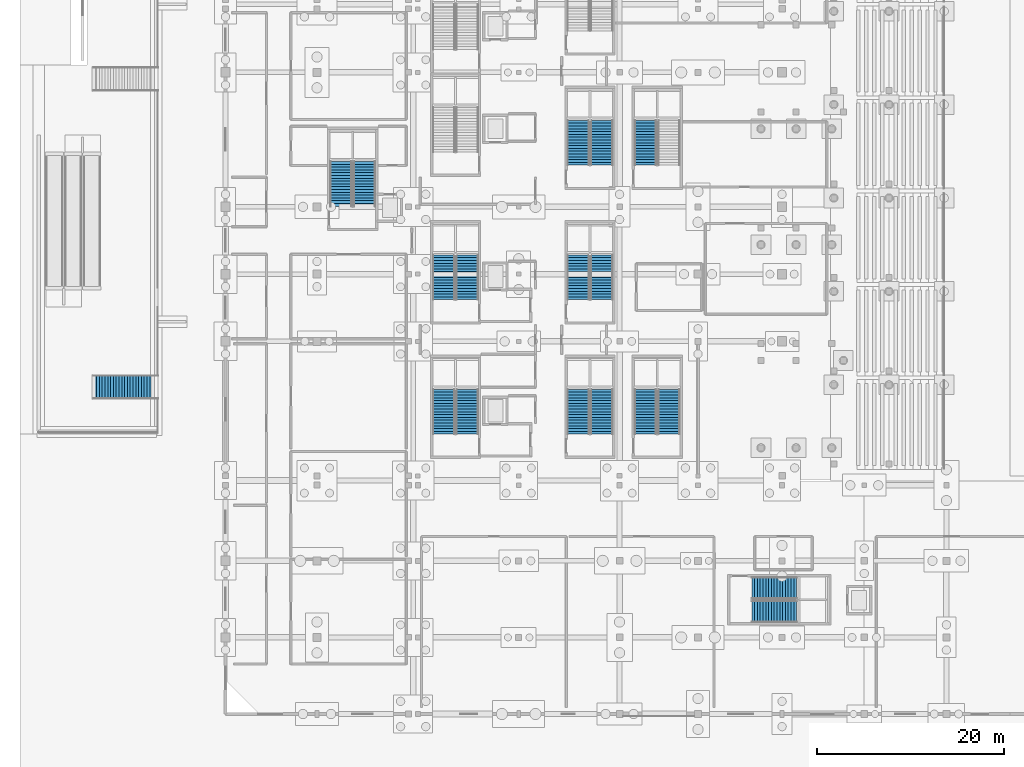
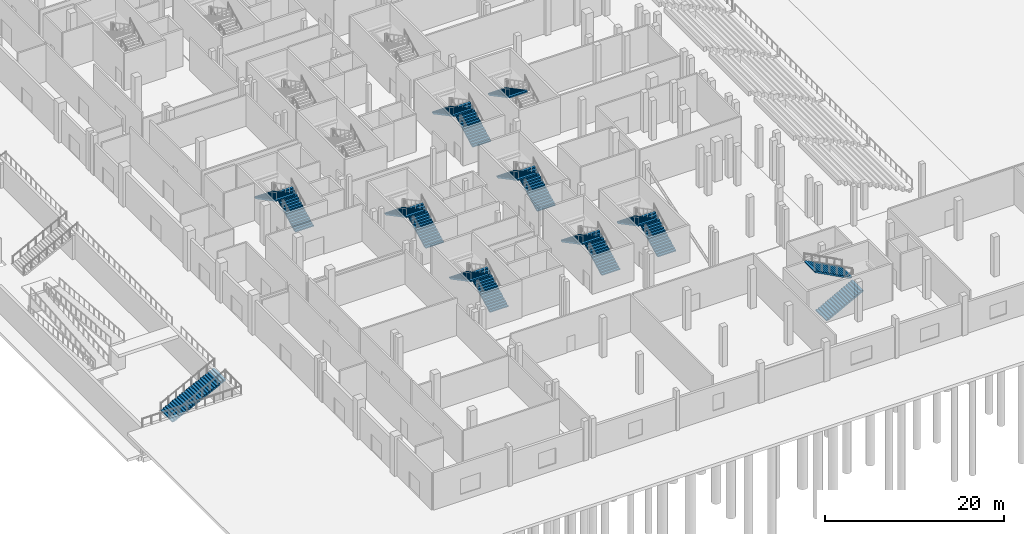
# One storey, part 51 of 89: 18 stair flights, 10 elements without a shape of their own.
"""IFC4 building model written with IfcOpenShell, lengths in metres."""

from ifc_helpers import new_model, si_unit, direction, frame, origin, place, context, subcontext, project, spatial, polyline, outline, extrude, material, type_object, element, aggregate, save


model = new_model("IFC4")

# Units and contexts
model_context = context("Model", 3, precision=1e-05, world=origin(), true_north=direction((0.0, 1.0)))
body_context = subcontext(model_context, "Body", "Model", "MODEL_VIEW")
ifc_project = project(units=[si_unit("LENGTHUNIT", "METRE"), si_unit("AREAUNIT", "SQUARE_METRE"), si_unit("VOLUMEUNIT", "CUBIC_METRE"), si_unit("PLANEANGLEUNIT", "RADIAN"), si_unit("MASSUNIT", "GRAM", prefix="KILO")], contexts=[model_context])

# Site, building, storey
site_placement = place(None, origin())
site = spatial("IfcSite", under=ifc_project, at=site_placement, CompositionType="ELEMENT")
building_placement = place(site_placement, origin())
building = spatial("IfcBuilding", under=site, at=building_placement, Name="Koshinbarg Plaza Stadium", CompositionType="ELEMENT")
storey_placement = place(building_placement, origin())
storey = spatial("IfcBuildingStorey", under=building, at=storey_placement, Name="L00", CompositionType="ELEMENT", Elevation=0.0)

# Stair, stair flights
ifc_material = material(Name="Concrete C35/45", Category="concrete")
stair_type_1 = type_object("IfcStairType", Name="ST-CORE-54", PredefinedType="HALF_TURN_STAIR", material=ifc_material)
stair_1_placement = place(storey_placement, origin())
stair_1 = element("IfcStair", 1, at=stair_1_placement, inside=storey, type_object=stair_type_1, Name="L00 Protected Exit Stair C01", PredefinedType="HALF_TURN_STAIR")
stair_flight_type_1 = type_object("IfcStairFlightType", Name="SFL-CORE-54", PredefinedType="STRAIGHT", material=ifc_material)
stair_flight_1_placement = place(storey_placement, frame((29.889892578125, 29.9599609375, 0.0), z_axis=(0.0, 0.0, 1.0), x_axis=(0.0, 1.0, 0.0)))
stair_flight_1 = element("IfcStairFlight", 2, at=stair_flight_1_placement, type_object=stair_flight_type_1, Name="L00 Protected Exit Stair C01 flight 001", NumberOfRisers=17, NumberOfTreads=16, PredefinedType="STRAIGHT", RiserHeight=0.158823529, TreadLength=0.3, context=body_context, shape_type="SweptSolid", body=[
    extrude(outline(polyline([(0.0, 0.0), (0.0, 0.158935546875), (0.300048828125, 0.158935546875), (0.300048828125, 0.317626953125), (0.60009765625, 0.317626953125), (0.60009765625, 0.4765625), (0.89990234375, 0.4765625), (0.89990234375, 0.63525390625), (1.199951171875, 0.63525390625), (1.199951171875, 0.794189453125), (1.5, 0.794189453125), (1.5, 0.952880859375), (1.800048828125, 0.952880859375), (1.800048828125, 1.11181640625), (2.10009765625, 1.11181640625), (2.10009765625, 1.2705078125), (2.39990234375, 1.2705078125), (2.39990234375, 1.429443359375), (2.699951171875, 1.429443359375), (2.699951171875, 1.588134765625), (3.0, 1.588134765625), (3.0, 1.7470703125), (3.300048828125, 1.7470703125), (3.300048828125, 1.90576171875), (3.60009765625, 1.90576171875), (3.60009765625, 2.064697265625), (3.89990234375, 2.064697265625), (3.89990234375, 2.2236328125), (4.199951171875, 2.2236328125), (4.199951171875, 2.38232421875), (4.5, 2.38232421875), (4.5, 2.541259765625), (4.800048828125, 2.541259765625), (4.800048828125, 2.699951171875), (4.800048828125, 2.37158203125), (0.3203125, 0.0), (0.0, 0.0)])), frame((0.0, 1.18017578125, 0.0), z_axis=(0.0, -1.0, 0.0), x_axis=(1.0, 0.0, 0.0)), (0.0, 0.0, 1.0), 2.360107421875),
])
stair_flight_2_placement = place(storey_placement, frame((27.3798828125, 34.760009765625, 2.699951171875), z_axis=(0.0, 0.0, 1.0), x_axis=(0.0, -1.0, 0.0)))
stair_flight_2 = element("IfcStairFlight", 3, at=stair_flight_2_placement, type_object=stair_flight_type_1, Name="L00 Protected Exit Stair C01 flight 002", NumberOfRisers=17, NumberOfTreads=16, PredefinedType="STRAIGHT", RiserHeight=0.158823529, TreadLength=0.3, context=body_context, shape_type="SweptSolid", body=[
    extrude(outline(polyline([(0.0, 0.0), (0.0, 0.158935546875), (0.300048828125, 0.158935546875), (0.300048828125, 0.317626953125), (0.60009765625, 0.317626953125), (0.60009765625, 0.4765625), (0.89990234375, 0.4765625), (0.89990234375, 0.63525390625), (1.199951171875, 0.63525390625), (1.199951171875, 0.794189453125), (1.5, 0.794189453125), (1.5, 0.952880859375), (1.800048828125, 0.952880859375), (1.800048828125, 1.11181640625), (2.10009765625, 1.11181640625), (2.10009765625, 1.2705078125), (2.39990234375, 1.2705078125), (2.39990234375, 1.429443359375), (2.699951171875, 1.429443359375), (2.699951171875, 1.588134765625), (3.0, 1.588134765625), (3.0, 1.7470703125), (3.300048828125, 1.7470703125), (3.300048828125, 1.90576171875), (3.60009765625, 1.90576171875), (3.60009765625, 2.064697265625), (3.89990234375, 2.064697265625), (3.89990234375, 2.2236328125), (4.199951171875, 2.2236328125), (4.199951171875, 2.38232421875), (4.5, 2.38232421875), (4.5, 2.541259765625), (4.800048828125, 2.541259765625), (4.800048828125, 2.699951171875), (4.800048828125, 2.37158203125), (0.3203125, 0.0), (0.0, 0.0)])), frame((0.0, 1.18017578125, 0.0), z_axis=(0.0, -1.0, 0.0), x_axis=(1.0, 0.0, 0.0)), (0.0, 0.0, 1.0), 2.360107421875),
])
aggregate(stair_1, [stair_flight_1, stair_flight_2])

stair_2_placement = place(storey_placement, origin())
stair_2 = element("IfcStair", 4, at=stair_2_placement, inside=storey, type_object=stair_type_1, Name="L00 Protected Exit Stair C02", PredefinedType="HALF_TURN_STAIR")
stair_flight_3_placement = place(storey_placement, frame((29.889892578125, 44.360107421875, 0.0), z_axis=(0.0, 0.0, 1.0), x_axis=(0.0, 1.0, 0.0)))
stair_flight_3 = element("IfcStairFlight", 5, at=stair_flight_3_placement, type_object=stair_flight_type_1, Name="L00 Protected Exit Stair C02 flight 013", NumberOfRisers=17, NumberOfTreads=16, PredefinedType="STRAIGHT", RiserHeight=0.158823529, TreadLength=0.3, context=body_context, shape_type="SweptSolid", body=[
    extrude(outline(polyline([(0.0, 0.0), (0.0, 0.158935546875), (0.300048828125, 0.158935546875), (0.300048828125, 0.317626953125), (0.60009765625, 0.317626953125), (0.60009765625, 0.4765625), (0.89990234375, 0.4765625), (0.89990234375, 0.63525390625), (1.199951171875, 0.63525390625), (1.199951171875, 0.794189453125), (1.5, 0.794189453125), (1.5, 0.952880859375), (1.800048828125, 0.952880859375), (1.800048828125, 1.11181640625), (2.10009765625, 1.11181640625), (2.10009765625, 1.2705078125), (2.39990234375, 1.2705078125), (2.39990234375, 1.429443359375), (2.699951171875, 1.429443359375), (2.699951171875, 1.588134765625), (3.0, 1.588134765625), (3.0, 1.7470703125), (3.300048828125, 1.7470703125), (3.300048828125, 1.90576171875), (3.60009765625, 1.90576171875), (3.60009765625, 2.064697265625), (3.89990234375, 2.064697265625), (3.89990234375, 2.2236328125), (4.199951171875, 2.2236328125), (4.199951171875, 2.38232421875), (4.5, 2.38232421875), (4.5, 2.541259765625), (4.800048828125, 2.541259765625), (4.800048828125, 2.699951171875), (4.800048828125, 2.37158203125), (0.3203125, 0.0), (0.0, 0.0)])), frame((0.0, 1.18017578125, 0.0), z_axis=(0.0, -1.0, 0.0), x_axis=(1.0, 0.0, 0.0)), (0.0, 0.0, 1.0), 2.360107421875),
])
stair_flight_4_placement = place(storey_placement, frame((27.3798828125, 49.159912109375, 2.699951171875), z_axis=(0.0, 0.0, 1.0), x_axis=(0.0, -1.0, 0.0)))
stair_flight_4 = element("IfcStairFlight", 6, at=stair_flight_4_placement, type_object=stair_flight_type_1, Name="L00 Protected Exit Stair C02 flight 014", NumberOfRisers=17, NumberOfTreads=16, PredefinedType="STRAIGHT", RiserHeight=0.158823529, TreadLength=0.3, context=body_context, shape_type="SweptSolid", body=[
    extrude(outline(polyline([(0.0, 0.0), (0.0, 0.158935546875), (0.300048828125, 0.158935546875), (0.300048828125, 0.317626953125), (0.60009765625, 0.317626953125), (0.60009765625, 0.4765625), (0.89990234375, 0.4765625), (0.89990234375, 0.63525390625), (1.199951171875, 0.63525390625), (1.199951171875, 0.794189453125), (1.5, 0.794189453125), (1.5, 0.952880859375), (1.800048828125, 0.952880859375), (1.800048828125, 1.11181640625), (2.10009765625, 1.11181640625), (2.10009765625, 1.2705078125), (2.39990234375, 1.2705078125), (2.39990234375, 1.429443359375), (2.699951171875, 1.429443359375), (2.699951171875, 1.588134765625), (3.0, 1.588134765625), (3.0, 1.7470703125), (3.300048828125, 1.7470703125), (3.300048828125, 1.90576171875), (3.60009765625, 1.90576171875), (3.60009765625, 2.064697265625), (3.89990234375, 2.064697265625), (3.89990234375, 2.2236328125), (4.199951171875, 2.2236328125), (4.199951171875, 2.38232421875), (4.5, 2.38232421875), (4.5, 2.541259765625), (4.800048828125, 2.541259765625), (4.800048828125, 2.699951171875), (4.800048828125, 2.37158203125), (0.3203125, 0.0), (0.0, 0.0)])), frame((0.0, 1.18017578125, 0.0), z_axis=(0.0, -1.0, 0.0), x_axis=(1.0, 0.0, 0.0)), (0.0, 0.0, 1.0), 2.360107421875),
])
aggregate(stair_2, [stair_flight_3, stair_flight_4])

stair_3_placement = place(storey_placement, origin())
stair_3 = element("IfcStair", 7, at=stair_3_placement, inside=storey, type_object=stair_type_1, Name="L00 Protected Exit Stair C13", PredefinedType="HALF_TURN_STAIR")
stair_flight_5_placement = place(storey_placement, frame((60.360107421875, 10.97998046875, 0.0), z_axis=(0.0, 0.0, 1.0), x_axis=(1.0, 0.0, 0.0)))
stair_flight_5 = element("IfcStairFlight", 8, at=stair_flight_5_placement, type_object=stair_flight_type_1, Name="L00 Protected Exit Stair C13 flight 125", NumberOfRisers=17, NumberOfTreads=16, PredefinedType="STRAIGHT", RiserHeight=0.158823529, TreadLength=0.3, context=body_context, shape_type="SweptSolid", body=[
    extrude(outline(polyline([(0.0, 0.0), (0.0, 0.158935546875), (0.300048828125, 0.158935546875), (0.300048828125, 0.317626953125), (0.60009765625, 0.317626953125), (0.60009765625, 0.4765625), (0.89990234375, 0.4765625), (0.89990234375, 0.63525390625), (1.199951171875, 0.63525390625), (1.199951171875, 0.794189453125), (1.5, 0.794189453125), (1.5, 0.952880859375), (1.800048828125, 0.952880859375), (1.800048828125, 1.11181640625), (2.10009765625, 1.11181640625), (2.10009765625, 1.2705078125), (2.39990234375, 1.2705078125), (2.39990234375, 1.429443359375), (2.699951171875, 1.429443359375), (2.699951171875, 1.588134765625), (3.0, 1.588134765625), (3.0, 1.7470703125), (3.300048828125, 1.7470703125), (3.300048828125, 1.90576171875), (3.60009765625, 1.90576171875), (3.60009765625, 2.064697265625), (3.89990234375, 2.064697265625), (3.89990234375, 2.2236328125), (4.199951171875, 2.2236328125), (4.199951171875, 2.38232421875), (4.5, 2.38232421875), (4.5, 2.541259765625), (4.800048828125, 2.541259765625), (4.800048828125, 2.699951171875), (4.800048828125, 2.37158203125), (0.3203125, 0.0), (0.0, 0.0)])), frame((0.0, 1.18017578125, 0.0), z_axis=(0.0, -1.0, 0.0), x_axis=(1.0, 0.0, 0.0)), (0.0, 0.0, 1.0), 2.360107421875),
])
stair_flight_6_placement = place(storey_placement, frame((65.159912109375, 13.489990234375, 2.699951171875), z_axis=(0.0, 0.0, 1.0), x_axis=(-1.0, 0.0, 0.0)))
stair_flight_6 = element("IfcStairFlight", 9, at=stair_flight_6_placement, type_object=stair_flight_type_1, Name="L00 Protected Exit Stair C13 flight 126", NumberOfRisers=17, NumberOfTreads=16, PredefinedType="STRAIGHT", RiserHeight=0.158823529, TreadLength=0.3, context=body_context, shape_type="SweptSolid", body=[
    extrude(outline(polyline([(0.0, 0.0), (0.0, 0.158935546875), (0.300048828125, 0.158935546875), (0.300048828125, 0.317626953125), (0.60009765625, 0.317626953125), (0.60009765625, 0.4765625), (0.89990234375, 0.4765625), (0.89990234375, 0.63525390625), (1.199951171875, 0.63525390625), (1.199951171875, 0.794189453125), (1.5, 0.794189453125), (1.5, 0.952880859375), (1.800048828125, 0.952880859375), (1.800048828125, 1.11181640625), (2.10009765625, 1.11181640625), (2.10009765625, 1.2705078125), (2.39990234375, 1.2705078125), (2.39990234375, 1.429443359375), (2.699951171875, 1.429443359375), (2.699951171875, 1.588134765625), (3.0, 1.588134765625), (3.0, 1.7470703125), (3.300048828125, 1.7470703125), (3.300048828125, 1.90576171875), (3.60009765625, 1.90576171875), (3.60009765625, 2.064697265625), (3.89990234375, 2.064697265625), (3.89990234375, 2.2236328125), (4.199951171875, 2.2236328125), (4.199951171875, 2.38232421875), (4.5, 2.38232421875), (4.5, 2.541259765625), (4.800048828125, 2.541259765625), (4.800048828125, 2.699951171875), (4.800048828125, 2.37158203125), (0.3203125, 0.0), (0.0, 0.0)])), frame((0.0, 1.18017578125, 0.0), z_axis=(0.0, -1.0, 0.0), x_axis=(1.0, 0.0, 0.0)), (0.0, 0.0, 1.0), 2.360107421875),
])
aggregate(stair_3, [stair_flight_5, stair_flight_6])

stair_4_placement = place(storey_placement, origin())
stair_4 = element("IfcStair", 10, at=stair_4_placement, inside=storey, type_object=stair_type_1, Name="L00 Protected Exit Stair C16", PredefinedType="HALF_TURN_STAIR")
stair_flight_7_placement = place(storey_placement, frame((18.889892578125, 54.360107421875, 0.0), z_axis=(0.0, 0.0, 1.0), x_axis=(0.0, 1.0, 0.0)))
stair_flight_7 = element("IfcStairFlight", 11, at=stair_flight_7_placement, type_object=stair_flight_type_1, Name="L00 Protected Exit Stair C16 flight 145", NumberOfRisers=17, NumberOfTreads=16, PredefinedType="STRAIGHT", RiserHeight=0.158823529, TreadLength=0.3, context=body_context, shape_type="SweptSolid", body=[
    extrude(outline(polyline([(0.0, 0.0), (0.0, 0.158935546875), (0.300048828125, 0.158935546875), (0.300048828125, 0.317626953125), (0.60009765625, 0.317626953125), (0.60009765625, 0.4765625), (0.89990234375, 0.4765625), (0.89990234375, 0.63525390625), (1.199951171875, 0.63525390625), (1.199951171875, 0.794189453125), (1.5, 0.794189453125), (1.5, 0.952880859375), (1.800048828125, 0.952880859375), (1.800048828125, 1.11181640625), (2.10009765625, 1.11181640625), (2.10009765625, 1.2705078125), (2.39990234375, 1.2705078125), (2.39990234375, 1.429443359375), (2.699951171875, 1.429443359375), (2.699951171875, 1.588134765625), (3.0, 1.588134765625), (3.0, 1.7470703125), (3.300048828125, 1.7470703125), (3.300048828125, 1.90576171875), (3.60009765625, 1.90576171875), (3.60009765625, 2.064697265625), (3.89990234375, 2.064697265625), (3.89990234375, 2.2236328125), (4.199951171875, 2.2236328125), (4.199951171875, 2.38232421875), (4.5, 2.38232421875), (4.5, 2.541259765625), (4.800048828125, 2.541259765625), (4.800048828125, 2.699951171875), (4.800048828125, 2.37158203125), (0.3203125, 0.0), (0.0, 0.0)])), frame((0.0, 1.18017578125, 0.0), z_axis=(0.0, -1.0, 0.0), x_axis=(1.0, 0.0, 0.0)), (0.0, 0.0, 1.0), 2.360107421875),
])
stair_flight_8_placement = place(storey_placement, frame((16.3798828125, 59.159912109375, 2.699951171875), z_axis=(0.0, 0.0, 1.0), x_axis=(0.0, -1.0, 0.0)))
stair_flight_8 = element("IfcStairFlight", 12, at=stair_flight_8_placement, type_object=stair_flight_type_1, Name="L00 Protected Exit Stair C16 flight 146", NumberOfRisers=17, NumberOfTreads=16, PredefinedType="STRAIGHT", RiserHeight=0.158823529, TreadLength=0.3, context=body_context, shape_type="SweptSolid", body=[
    extrude(outline(polyline([(0.0, 0.0), (0.0, 0.158935546875), (0.300048828125, 0.158935546875), (0.300048828125, 0.317626953125), (0.60009765625, 0.317626953125), (0.60009765625, 0.4765625), (0.89990234375, 0.4765625), (0.89990234375, 0.63525390625), (1.199951171875, 0.63525390625), (1.199951171875, 0.794189453125), (1.5, 0.794189453125), (1.5, 0.952880859375), (1.800048828125, 0.952880859375), (1.800048828125, 1.11181640625), (2.10009765625, 1.11181640625), (2.10009765625, 1.2705078125), (2.39990234375, 1.2705078125), (2.39990234375, 1.429443359375), (2.699951171875, 1.429443359375), (2.699951171875, 1.588134765625), (3.0, 1.588134765625), (3.0, 1.7470703125), (3.300048828125, 1.7470703125), (3.300048828125, 1.90576171875), (3.60009765625, 1.90576171875), (3.60009765625, 2.064697265625), (3.89990234375, 2.064697265625), (3.89990234375, 2.2236328125), (4.199951171875, 2.2236328125), (4.199951171875, 2.38232421875), (4.5, 2.38232421875), (4.5, 2.541259765625), (4.800048828125, 2.541259765625), (4.800048828125, 2.699951171875), (4.800048828125, 2.37158203125), (0.3203125, 0.0), (0.0, 0.0)])), frame((0.0, 1.18017578125, 0.0), z_axis=(0.0, -1.0, 0.0), x_axis=(1.0, 0.0, 0.0)), (0.0, 0.0, 1.0), 2.360107421875),
])
aggregate(stair_4, [stair_flight_7, stair_flight_8])

stair_type_2 = type_object("IfcStairType", Name="ST-VOM-54", PredefinedType="HALF_TURN_STAIR", material=ifc_material)
stair_5_placement = place(storey_placement, origin())
stair_5 = element("IfcStair", 13, at=stair_5_placement, inside=storey, type_object=stair_type_2, Name="L00 Upper Vomitory Stair VX01", PredefinedType="HALF_TURN_STAIR")
stair_flight_9_placement = place(storey_placement, frame((44.2900390625, 29.9599609375, 0.0), z_axis=(0.0, 0.0, 1.0), x_axis=(0.0, 1.0, 0.0)))
stair_flight_9 = element("IfcStairFlight", 14, at=stair_flight_9_placement, type_object=stair_flight_type_1, Name="L00 Upper Vomitory Stair VX01 flight 149", NumberOfRisers=17, NumberOfTreads=16, PredefinedType="STRAIGHT", RiserHeight=0.158823529, TreadLength=0.3, context=body_context, shape_type="SweptSolid", body=[
    extrude(outline(polyline([(0.0, 0.0), (0.0, 0.158935546875), (0.300048828125, 0.158935546875), (0.300048828125, 0.317626953125), (0.60009765625, 0.317626953125), (0.60009765625, 0.4765625), (0.89990234375, 0.4765625), (0.89990234375, 0.63525390625), (1.199951171875, 0.63525390625), (1.199951171875, 0.794189453125), (1.5, 0.794189453125), (1.5, 0.952880859375), (1.800048828125, 0.952880859375), (1.800048828125, 1.11181640625), (2.10009765625, 1.11181640625), (2.10009765625, 1.2705078125), (2.39990234375, 1.2705078125), (2.39990234375, 1.429443359375), (2.699951171875, 1.429443359375), (2.699951171875, 1.588134765625), (3.0, 1.588134765625), (3.0, 1.7470703125), (3.300048828125, 1.7470703125), (3.300048828125, 1.90576171875), (3.60009765625, 1.90576171875), (3.60009765625, 2.064697265625), (3.89990234375, 2.064697265625), (3.89990234375, 2.2236328125), (4.199951171875, 2.2236328125), (4.199951171875, 2.38232421875), (4.5, 2.38232421875), (4.5, 2.541259765625), (4.800048828125, 2.541259765625), (4.800048828125, 2.699951171875), (4.800048828125, 2.37158203125), (0.3203125, 0.0), (0.0, 0.0)])), frame((0.0, 1.18017578125, 0.0), z_axis=(0.0, -1.0, 0.0), x_axis=(1.0, 0.0, 0.0)), (0.0, 0.0, 1.0), 2.360107421875),
])
stair_flight_10_placement = place(storey_placement, frame((41.780029296875, 34.760009765625, 2.699951171875), z_axis=(0.0, 0.0, 1.0), x_axis=(0.0, -1.0, 0.0)))
stair_flight_10 = element("IfcStairFlight", 15, at=stair_flight_10_placement, type_object=stair_flight_type_1, Name="L00 Upper Vomitory Stair VX01 flight 150", NumberOfRisers=17, NumberOfTreads=16, PredefinedType="STRAIGHT", RiserHeight=0.158823529, TreadLength=0.3, context=body_context, shape_type="SweptSolid", body=[
    extrude(outline(polyline([(0.0, 0.0), (0.0, 0.158935546875), (0.300048828125, 0.158935546875), (0.300048828125, 0.317626953125), (0.60009765625, 0.317626953125), (0.60009765625, 0.4765625), (0.89990234375, 0.4765625), (0.89990234375, 0.63525390625), (1.199951171875, 0.63525390625), (1.199951171875, 0.794189453125), (1.5, 0.794189453125), (1.5, 0.952880859375), (1.800048828125, 0.952880859375), (1.800048828125, 1.11181640625), (2.10009765625, 1.11181640625), (2.10009765625, 1.2705078125), (2.39990234375, 1.2705078125), (2.39990234375, 1.429443359375), (2.699951171875, 1.429443359375), (2.699951171875, 1.588134765625), (3.0, 1.588134765625), (3.0, 1.7470703125), (3.300048828125, 1.7470703125), (3.300048828125, 1.90576171875), (3.60009765625, 1.90576171875), (3.60009765625, 2.064697265625), (3.89990234375, 2.064697265625), (3.89990234375, 2.2236328125), (4.199951171875, 2.2236328125), (4.199951171875, 2.38232421875), (4.5, 2.38232421875), (4.5, 2.541259765625), (4.800048828125, 2.541259765625), (4.800048828125, 2.699951171875), (4.800048828125, 2.37158203125), (0.3203125, 0.0), (0.0, 0.0)])), frame((0.0, 1.18017578125, 0.0), z_axis=(0.0, -1.0, 0.0), x_axis=(1.0, 0.0, 0.0)), (0.0, 0.0, 1.0), 2.360107421875),
])
aggregate(stair_5, [stair_flight_9, stair_flight_10])

stair_6_placement = place(storey_placement, origin())
stair_6 = element("IfcStair", 16, at=stair_6_placement, inside=storey, type_object=stair_type_2, Name="L00 Upper Vomitory Stair VX02", PredefinedType="HALF_TURN_STAIR")
stair_flight_11_placement = place(storey_placement, frame((44.2900390625, 44.360107421875, 0.0), z_axis=(0.0, 0.0, 1.0), x_axis=(0.0, 1.0, 0.0)))
stair_flight_11 = element("IfcStairFlight", 17, at=stair_flight_11_placement, type_object=stair_flight_type_1, Name="L00 Upper Vomitory Stair VX02 flight 155", NumberOfRisers=17, NumberOfTreads=16, PredefinedType="STRAIGHT", RiserHeight=0.158823529, TreadLength=0.3, context=body_context, shape_type="SweptSolid", body=[
    extrude(outline(polyline([(0.0, 0.0), (0.0, 0.158935546875), (0.300048828125, 0.158935546875), (0.300048828125, 0.317626953125), (0.60009765625, 0.317626953125), (0.60009765625, 0.4765625), (0.89990234375, 0.4765625), (0.89990234375, 0.63525390625), (1.199951171875, 0.63525390625), (1.199951171875, 0.794189453125), (1.5, 0.794189453125), (1.5, 0.952880859375), (1.800048828125, 0.952880859375), (1.800048828125, 1.11181640625), (2.10009765625, 1.11181640625), (2.10009765625, 1.2705078125), (2.39990234375, 1.2705078125), (2.39990234375, 1.429443359375), (2.699951171875, 1.429443359375), (2.699951171875, 1.588134765625), (3.0, 1.588134765625), (3.0, 1.7470703125), (3.300048828125, 1.7470703125), (3.300048828125, 1.90576171875), (3.60009765625, 1.90576171875), (3.60009765625, 2.064697265625), (3.89990234375, 2.064697265625), (3.89990234375, 2.2236328125), (4.199951171875, 2.2236328125), (4.199951171875, 2.38232421875), (4.5, 2.38232421875), (4.5, 2.541259765625), (4.800048828125, 2.541259765625), (4.800048828125, 2.699951171875), (4.800048828125, 2.37158203125), (0.3203125, 0.0), (0.0, 0.0)])), frame((0.0, 1.18017578125, 0.0), z_axis=(0.0, -1.0, 0.0), x_axis=(1.0, 0.0, 0.0)), (0.0, 0.0, 1.0), 2.360107421875),
])
stair_flight_12_placement = place(storey_placement, frame((41.780029296875, 49.159912109375, 2.699951171875), z_axis=(0.0, 0.0, 1.0), x_axis=(0.0, -1.0, 0.0)))
stair_flight_12 = element("IfcStairFlight", 18, at=stair_flight_12_placement, type_object=stair_flight_type_1, Name="L00 Upper Vomitory Stair VX02 flight 156", NumberOfRisers=17, NumberOfTreads=16, PredefinedType="STRAIGHT", RiserHeight=0.158823529, TreadLength=0.3, context=body_context, shape_type="SweptSolid", body=[
    extrude(outline(polyline([(0.0, 0.0), (0.0, 0.158935546875), (0.300048828125, 0.158935546875), (0.300048828125, 0.317626953125), (0.60009765625, 0.317626953125), (0.60009765625, 0.4765625), (0.89990234375, 0.4765625), (0.89990234375, 0.63525390625), (1.199951171875, 0.63525390625), (1.199951171875, 0.794189453125), (1.5, 0.794189453125), (1.5, 0.952880859375), (1.800048828125, 0.952880859375), (1.800048828125, 1.11181640625), (2.10009765625, 1.11181640625), (2.10009765625, 1.2705078125), (2.39990234375, 1.2705078125), (2.39990234375, 1.429443359375), (2.699951171875, 1.429443359375), (2.699951171875, 1.588134765625), (3.0, 1.588134765625), (3.0, 1.7470703125), (3.300048828125, 1.7470703125), (3.300048828125, 1.90576171875), (3.60009765625, 1.90576171875), (3.60009765625, 2.064697265625), (3.89990234375, 2.064697265625), (3.89990234375, 2.2236328125), (4.199951171875, 2.2236328125), (4.199951171875, 2.38232421875), (4.5, 2.38232421875), (4.5, 2.541259765625), (4.800048828125, 2.541259765625), (4.800048828125, 2.699951171875), (4.800048828125, 2.37158203125), (0.3203125, 0.0), (0.0, 0.0)])), frame((0.0, 1.18017578125, 0.0), z_axis=(0.0, -1.0, 0.0), x_axis=(1.0, 0.0, 0.0)), (0.0, 0.0, 1.0), 2.360107421875),
])
aggregate(stair_6, [stair_flight_11, stair_flight_12])

stair_7_placement = place(storey_placement, origin())
stair_7 = element("IfcStair", 19, at=stair_7_placement, inside=storey, type_object=stair_type_2, Name="L00 Upper Vomitory Stair VX03", PredefinedType="HALF_TURN_STAIR")
stair_flight_13_placement = place(storey_placement, frame((44.2900390625, 58.760009765625, 0.0), z_axis=(0.0, 0.0, 1.0), x_axis=(0.0, 1.0, 0.0)))
stair_flight_13 = element("IfcStairFlight", 20, at=stair_flight_13_placement, type_object=stair_flight_type_1, Name="L00 Upper Vomitory Stair VX03 flight 161", NumberOfRisers=17, NumberOfTreads=16, PredefinedType="STRAIGHT", RiserHeight=0.158823529, TreadLength=0.3, context=body_context, shape_type="SweptSolid", body=[
    extrude(outline(polyline([(0.0, 0.0), (0.0, 0.158935546875), (0.300048828125, 0.158935546875), (0.300048828125, 0.317626953125), (0.60009765625, 0.317626953125), (0.60009765625, 0.4765625), (0.89990234375, 0.4765625), (0.89990234375, 0.63525390625), (1.199951171875, 0.63525390625), (1.199951171875, 0.794189453125), (1.5, 0.794189453125), (1.5, 0.952880859375), (1.800048828125, 0.952880859375), (1.800048828125, 1.11181640625), (2.10009765625, 1.11181640625), (2.10009765625, 1.2705078125), (2.39990234375, 1.2705078125), (2.39990234375, 1.429443359375), (2.699951171875, 1.429443359375), (2.699951171875, 1.588134765625), (3.0, 1.588134765625), (3.0, 1.7470703125), (3.300048828125, 1.7470703125), (3.300048828125, 1.90576171875), (3.60009765625, 1.90576171875), (3.60009765625, 2.064697265625), (3.89990234375, 2.064697265625), (3.89990234375, 2.2236328125), (4.199951171875, 2.2236328125), (4.199951171875, 2.38232421875), (4.5, 2.38232421875), (4.5, 2.541259765625), (4.800048828125, 2.541259765625), (4.800048828125, 2.699951171875), (4.800048828125, 2.37158203125), (0.3203125, 0.0), (0.0, 0.0)])), frame((0.0, 1.18017578125, 0.0), z_axis=(0.0, -1.0, 0.0), x_axis=(1.0, 0.0, 0.0)), (0.0, 0.0, 1.0), 2.360107421875),
])
stair_flight_14_placement = place(storey_placement, frame((41.780029296875, 63.56005859375, 2.699951171875), z_axis=(0.0, 0.0, 1.0), x_axis=(0.0, -1.0, 0.0)))
stair_flight_14 = element("IfcStairFlight", 21, at=stair_flight_14_placement, type_object=stair_flight_type_1, Name="L00 Upper Vomitory Stair VX03 flight 162", NumberOfRisers=17, NumberOfTreads=16, PredefinedType="STRAIGHT", RiserHeight=0.158823529, TreadLength=0.3, context=body_context, shape_type="SweptSolid", body=[
    extrude(outline(polyline([(0.0, 0.0), (0.0, 0.158935546875), (0.300048828125, 0.158935546875), (0.300048828125, 0.317626953125), (0.60009765625, 0.317626953125), (0.60009765625, 0.4765625), (0.89990234375, 0.4765625), (0.89990234375, 0.63525390625), (1.199951171875, 0.63525390625), (1.199951171875, 0.794189453125), (1.5, 0.794189453125), (1.5, 0.952880859375), (1.800048828125, 0.952880859375), (1.800048828125, 1.11181640625), (2.10009765625, 1.11181640625), (2.10009765625, 1.2705078125), (2.39990234375, 1.2705078125), (2.39990234375, 1.429443359375), (2.699951171875, 1.429443359375), (2.699951171875, 1.588134765625), (3.0, 1.588134765625), (3.0, 1.7470703125), (3.300048828125, 1.7470703125), (3.300048828125, 1.90576171875), (3.60009765625, 1.90576171875), (3.60009765625, 2.064697265625), (3.89990234375, 2.064697265625), (3.89990234375, 2.2236328125), (4.199951171875, 2.2236328125), (4.199951171875, 2.38232421875), (4.5, 2.38232421875), (4.5, 2.541259765625), (4.800048828125, 2.541259765625), (4.800048828125, 2.699951171875), (4.800048828125, 2.37158203125), (0.3203125, 0.0), (0.0, 0.0)])), frame((0.0, 1.18017578125, 0.0), z_axis=(0.0, -1.0, 0.0), x_axis=(1.0, 0.0, 0.0)), (0.0, 0.0, 1.0), 2.360107421875),
])
aggregate(stair_7, [stair_flight_13, stair_flight_14])

stair_8_placement = place(storey_placement, origin())
stair_8 = element("IfcStair", 22, at=stair_8_placement, inside=storey, type_object=stair_type_2, Name="L00 Lower Vomitory Stair VL01", PredefinedType="HALF_TURN_STAIR")
stair_flight_15_placement = place(storey_placement, frame((51.489990234375, 29.9599609375, 0.0), z_axis=(0.0, 0.0, 1.0), x_axis=(0.0, 1.0, 0.0)))
stair_flight_15 = element("IfcStairFlight", 23, at=stair_flight_15_placement, type_object=stair_flight_type_1, Name="L00 Lower Vomitory Stair VL01 flight 221", NumberOfRisers=17, NumberOfTreads=16, PredefinedType="STRAIGHT", RiserHeight=0.158823529, TreadLength=0.3, context=body_context, shape_type="SweptSolid", body=[
    extrude(outline(polyline([(0.0, 0.0), (0.0, 0.158935546875), (0.300048828125, 0.158935546875), (0.300048828125, 0.317626953125), (0.60009765625, 0.317626953125), (0.60009765625, 0.4765625), (0.89990234375, 0.4765625), (0.89990234375, 0.63525390625), (1.199951171875, 0.63525390625), (1.199951171875, 0.794189453125), (1.5, 0.794189453125), (1.5, 0.952880859375), (1.800048828125, 0.952880859375), (1.800048828125, 1.11181640625), (2.10009765625, 1.11181640625), (2.10009765625, 1.2705078125), (2.39990234375, 1.2705078125), (2.39990234375, 1.429443359375), (2.699951171875, 1.429443359375), (2.699951171875, 1.588134765625), (3.0, 1.588134765625), (3.0, 1.7470703125), (3.300048828125, 1.7470703125), (3.300048828125, 1.90576171875), (3.60009765625, 1.90576171875), (3.60009765625, 2.064697265625), (3.89990234375, 2.064697265625), (3.89990234375, 2.2236328125), (4.199951171875, 2.2236328125), (4.199951171875, 2.38232421875), (4.5, 2.38232421875), (4.5, 2.541259765625), (4.800048828125, 2.541259765625), (4.800048828125, 2.699951171875), (4.800048828125, 2.37158203125), (0.3203125, 0.0), (0.0, 0.0)])), frame((0.0, 1.18017578125, 0.0), z_axis=(0.0, -1.0, 0.0), x_axis=(1.0, 0.0, 0.0)), (0.0, 0.0, 1.0), 2.360107421875),
])
stair_flight_16_placement = place(storey_placement, frame((48.97998046875, 34.760009765625, 2.699951171875), z_axis=(0.0, 0.0, 1.0), x_axis=(0.0, -1.0, 0.0)))
stair_flight_16 = element("IfcStairFlight", 24, at=stair_flight_16_placement, type_object=stair_flight_type_1, Name="L00 Lower Vomitory Stair VL01 flight 222", NumberOfRisers=17, NumberOfTreads=16, PredefinedType="STRAIGHT", RiserHeight=0.158823529, TreadLength=0.3, context=body_context, shape_type="SweptSolid", body=[
    extrude(outline(polyline([(0.0, 0.0), (0.0, 0.158935546875), (0.300048828125, 0.158935546875), (0.300048828125, 0.317626953125), (0.60009765625, 0.317626953125), (0.60009765625, 0.4765625), (0.89990234375, 0.4765625), (0.89990234375, 0.63525390625), (1.199951171875, 0.63525390625), (1.199951171875, 0.794189453125), (1.5, 0.794189453125), (1.5, 0.952880859375), (1.800048828125, 0.952880859375), (1.800048828125, 1.11181640625), (2.10009765625, 1.11181640625), (2.10009765625, 1.2705078125), (2.39990234375, 1.2705078125), (2.39990234375, 1.429443359375), (2.699951171875, 1.429443359375), (2.699951171875, 1.588134765625), (3.0, 1.588134765625), (3.0, 1.7470703125), (3.300048828125, 1.7470703125), (3.300048828125, 1.90576171875), (3.60009765625, 1.90576171875), (3.60009765625, 2.064697265625), (3.89990234375, 2.064697265625), (3.89990234375, 2.2236328125), (4.199951171875, 2.2236328125), (4.199951171875, 2.38232421875), (4.5, 2.38232421875), (4.5, 2.541259765625), (4.800048828125, 2.541259765625), (4.800048828125, 2.699951171875), (4.800048828125, 2.37158203125), (0.3203125, 0.0), (0.0, 0.0)])), frame((0.0, 1.18017578125, 0.0), z_axis=(0.0, -1.0, 0.0), x_axis=(1.0, 0.0, 0.0)), (0.0, 0.0, 1.0), 2.360107421875),
])
aggregate(stair_8, [stair_flight_15, stair_flight_16])

# Stair, stair flight
stair_9_placement = place(storey_placement, origin())
stair_9 = element("IfcStair", 25, at=stair_9_placement, inside=storey, type_object=stair_type_2, Name="L00 Lower Vomitory Stair VL02", PredefinedType="HALF_TURN_STAIR")
stair_flight_17_placement = place(storey_placement, frame((48.97998046875, 63.56005859375, 2.699951171875), z_axis=(0.0, 0.0, 1.0), x_axis=(0.0, -1.0, 0.0)))
stair_flight_17 = element("IfcStairFlight", 26, at=stair_flight_17_placement, type_object=stair_flight_type_1, Name="L00 Lower Vomitory Stair VL02 flight 224", NumberOfRisers=17, NumberOfTreads=16, PredefinedType="STRAIGHT", RiserHeight=0.158823529, TreadLength=0.3, context=body_context, shape_type="SweptSolid", body=[
    extrude(outline(polyline([(0.0, 0.0), (0.0, 0.158935546875), (0.300048828125, 0.158935546875), (0.300048828125, 0.317626953125), (0.60009765625, 0.317626953125), (0.60009765625, 0.4765625), (0.89990234375, 0.4765625), (0.89990234375, 0.63525390625), (1.199951171875, 0.63525390625), (1.199951171875, 0.794189453125), (1.5, 0.794189453125), (1.5, 0.952880859375), (1.800048828125, 0.952880859375), (1.800048828125, 1.11181640625), (2.10009765625, 1.11181640625), (2.10009765625, 1.2705078125), (2.39990234375, 1.2705078125), (2.39990234375, 1.429443359375), (2.699951171875, 1.429443359375), (2.699951171875, 1.588134765625), (3.0, 1.588134765625), (3.0, 1.7470703125), (3.300048828125, 1.7470703125), (3.300048828125, 1.90576171875), (3.60009765625, 1.90576171875), (3.60009765625, 2.064697265625), (3.89990234375, 2.064697265625), (3.89990234375, 2.2236328125), (4.199951171875, 2.2236328125), (4.199951171875, 2.38232421875), (4.5, 2.38232421875), (4.5, 2.541259765625), (4.800048828125, 2.541259765625), (4.800048828125, 2.699951171875), (4.800048828125, 2.37158203125), (0.3203125, 0.0), (0.0, 0.0)])), frame((0.0, 1.18017578125, 0.0), z_axis=(0.0, -1.0, 0.0), x_axis=(1.0, 0.0, 0.0)), (0.0, 0.0, 1.0), 2.360107421875),
])
aggregate(stair_9, [stair_flight_17])

stair_type_3 = type_object("IfcStairType", Name="ST-FORECOURT", PredefinedType="STRAIGHT_RUN_STAIR", material=ifc_material)
stair_10_placement = place(storey_placement, origin())
stair_10 = element("IfcStair", 27, at=stair_10_placement, inside=storey, type_object=stair_type_3, Name="Metro forecourt ceremonial stair ST-FC-01", PredefinedType="STRAIGHT_RUN_STAIR")
stair_flight_type_2 = type_object("IfcStairFlightType", Name="SFL-FORECOURT", PredefinedType="STRAIGHT", material=ifc_material)
stair_flight_18_placement = place(storey_placement, frame((-10.10009765625, 35.0, -3.60009765625), z_axis=(0.0, 0.0, 1.0), x_axis=(1.0, 0.0, 0.0)))
stair_flight_18 = element("IfcStairFlight", 28, at=stair_flight_18_placement, type_object=stair_flight_type_2, Name="ST-FC01 flight 1", NumberOfRisers=24, NumberOfTreads=23, PredefinedType="STRAIGHT", RiserHeight=0.15, TreadLength=0.3, context=body_context, shape_type="SweptSolid", body=[
    extrude(outline(polyline([(0.0, 0.0), (0.0, 0.14990234375), (0.300048828125, 0.14990234375), (0.300048828125, 0.300048828125), (0.60009765625, 0.300048828125), (0.60009765625, 0.449951171875), (0.89990234375, 0.449951171875), (0.89990234375, 0.60009765625), (1.199951171875, 0.60009765625), (1.199951171875, 0.75), (1.5, 0.75), (1.5, 0.89990234375), (1.800048828125, 0.89990234375), (1.800048828125, 1.050048828125), (2.10009765625, 1.050048828125), (2.10009765625, 1.199951171875), (2.39990234375, 1.199951171875), (2.39990234375, 1.35009765625), (2.699951171875, 1.35009765625), (2.699951171875, 1.5), (3.0, 1.5), (3.0, 1.64990234375), (3.300048828125, 1.64990234375), (3.300048828125, 1.800048828125), (3.60009765625, 1.800048828125), (3.60009765625, 1.949951171875), (3.89990234375, 1.949951171875), (3.89990234375, 2.10009765625), (4.199951171875, 2.10009765625), (4.199951171875, 2.25), (4.5, 2.25), (4.5, 2.39990234375), (4.800048828125, 2.39990234375), (4.800048828125, 2.550048828125), (5.10009765625, 2.550048828125), (5.10009765625, 2.699951171875), (5.39990234375, 2.699951171875), (5.39990234375, 2.85009765625), (5.699951171875, 2.85009765625), (5.699951171875, 3.0), (6.0, 3.0), (6.0, 3.14990234375), (6.300048828125, 3.14990234375), (6.300048828125, 3.300048828125), (6.60009765625, 3.300048828125), (6.60009765625, 3.449951171875), (6.89990234375, 3.449951171875), (6.89990234375, 3.60009765625), (6.89990234375, 3.282470703125), (0.335205078125, 0.0), (0.0, 0.0)])), frame((0.0, 1.300048828125, 0.0), z_axis=(0.0, -1.0, 0.0), x_axis=(1.0, 0.0, 0.0)), (0.0, 0.0, 1.0), 2.60009765625),
])
aggregate(stair_10, [stair_flight_18])

save(model, "model.ifc")
